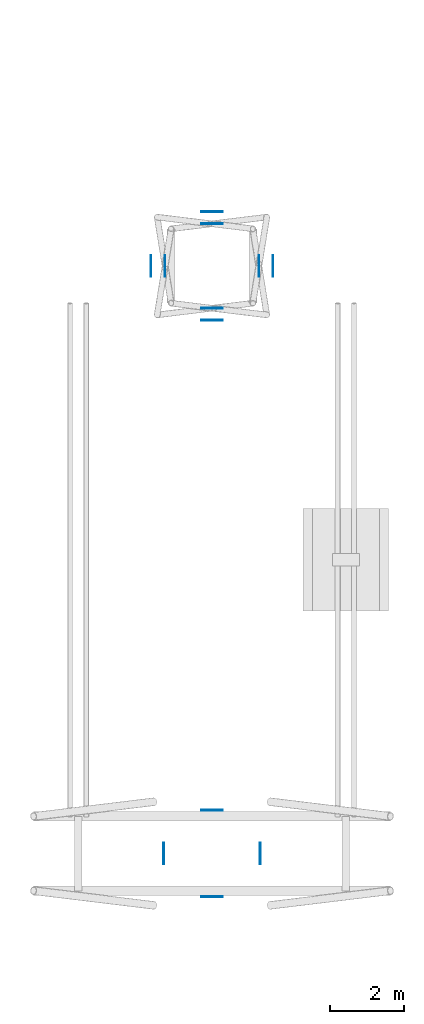
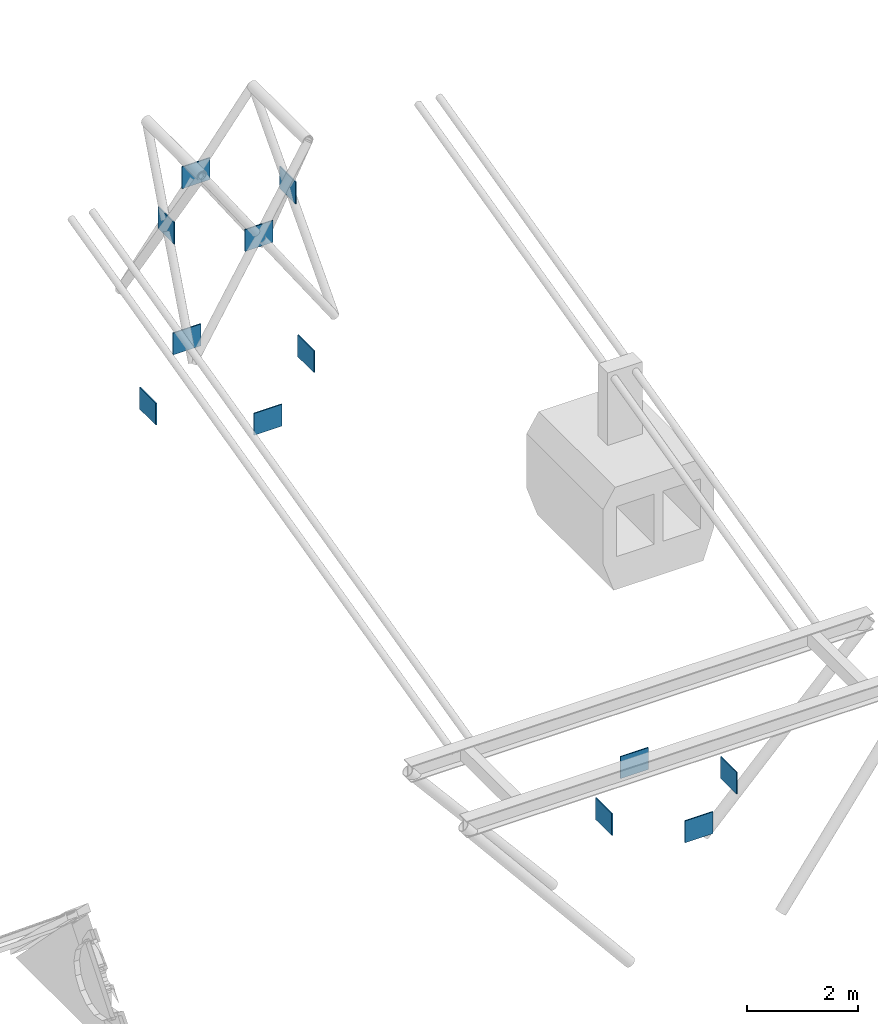
# One storey, part 73 of 108: 12 plates.
"""IFC4 building model written with IfcOpenShell, lengths in metres."""

from ifc_helpers import new_model, si_unit, direction, frame, origin, origin_2d, place, context, subcontext, project, spatial, rectangle, extrude, material, layer, layer_set, type_object, element, save


model = new_model("IFC4")

# Units and contexts
model_context = context("Model", 3, precision=1e-05, world=origin(), true_north=direction((0.0, 1.0)))
body_context = subcontext(model_context, "Body", "Model", "MODEL_VIEW")
ifc_project = project(units=[si_unit("LENGTHUNIT", "METRE"), si_unit("AREAUNIT", "SQUARE_METRE"), si_unit("VOLUMEUNIT", "CUBIC_METRE"), si_unit("PLANEANGLEUNIT", "RADIAN"), si_unit("MASSUNIT", "GRAM", prefix="KILO")], contexts=[model_context])

# Site, building, storey
site_placement = place(None, origin())
site = spatial("IfcSite", under=ifc_project, at=site_placement, CompositionType="ELEMENT")
building_placement = place(site_placement, origin())
building = spatial("IfcBuilding", under=site, at=building_placement, Name="Cumevento Cable Car Station", CompositionType="ELEMENT")
storey_placement = place(building_placement, frame((0.0, 0.0, 13.5)))
storey = spatial("IfcBuildingStorey", under=building, at=storey_placement, Name="L04", CompositionType="ELEMENT", Elevation=13.5)

# Plates
ifc_material = material(Name="Steel ASTM A572 Grade 50", Category="steel")
ifc_layer = layer(ifc_material, 0.02197265625)
ifc_layer_set = layer_set([ifc_layer], Name="Steel ASTM A572 Grade 50")
plate_type = type_object("IfcPlateType", Name="Steel Plate GP-02 580x22x480", PredefinedType="USERDEFINED", material=ifc_layer_set)
for number, where, z_axis, x_axis, name in (
    (1, (94.0, 21.54443359375, 0.003173828125), (0.0, 0.0, 1.0), (1.0, 0.0, 0.0), "X-Brace Crossing Node Gusset Plate #99"),
    (2, (95.641845703125, 23.0, -0.007568359375), (0.0, 0.0, 1.0), (0.0, 1.0, 0.0), "X-Brace Crossing Node Gusset Plate #100"),
    (3, (94.0, 24.45556640625, 0.003173828125), (0.0, 0.0, 1.0), (1.0, 0.0, 0.0), "X-Brace Crossing Node Gusset Plate #101"),
    (4, (92.358154296875, 23.0, -0.007568359375), (0.0, 0.0, 1.0), (0.0, 1.0, 0.0), "X-Brace Crossing Node Gusset Plate #102"),
    (5, (94.0, 21.865234375, 3.844970703125), (0.0, 0.0, 1.0), (1.0, 0.0, 0.0), "X-Brace Crossing Node Gusset Plate #103"),
    (6, (95.26171875, 23.0, 3.827392578125), (0.0, 0.0, 1.0), (0.0, 1.0, 0.0), "X-Brace Crossing Node Gusset Plate #104"),
    (7, (94.0, 24.134765625, 3.844970703125), (0.0, 0.0, 1.0), (1.0, 0.0, 0.0), "X-Brace Crossing Node Gusset Plate #105"),
    (8, (92.73828125, 23.0, 3.827392578125), (0.0, 0.0, 1.0), (0.0, 1.0, 0.0), "X-Brace Crossing Node Gusset Plate #106"),
    (9, (94.0, 6.037841796875, 0.461669921875), (0.0, 0.0, 1.0), (1.0, 0.0, 0.0), "X-Brace Crossing Node Gusset Plate #119"),
    (10, (95.295166015625, 7.199951171875, 0.44091796875), (0.0, 0.0, 1.0), (0.0, 1.0, 0.0), "X-Brace Crossing Node Gusset Plate #120"),
    (11, (94.0, 8.3623046875, 0.461669921875), (0.0, 0.0, 1.0), (1.0, 0.0, 0.0), "X-Brace Crossing Node Gusset Plate #121"),
    (12, (92.704833984375, 7.199951171875, 0.44091796875), (0.0, 0.0, 1.0), (0.0, 1.0, 0.0), "X-Brace Crossing Node Gusset Plate #122"),
):
    element("IfcPlate", number, at=place(storey_placement, frame(where, z_axis=z_axis, x_axis=x_axis)), inside=storey, type_object=plate_type, Name=name, ObjectType="GUSSET_PLATE", PredefinedType="USERDEFINED", context=body_context, shape_type="SweptSolid", body=[
        extrude(rectangle(XDim=0.580078125, YDim=0.02197265625, at=origin_2d()), origin(), (0.0, 0.0, 1.0), 0.47998046875),
    ])

save(model, "model.ifc")
